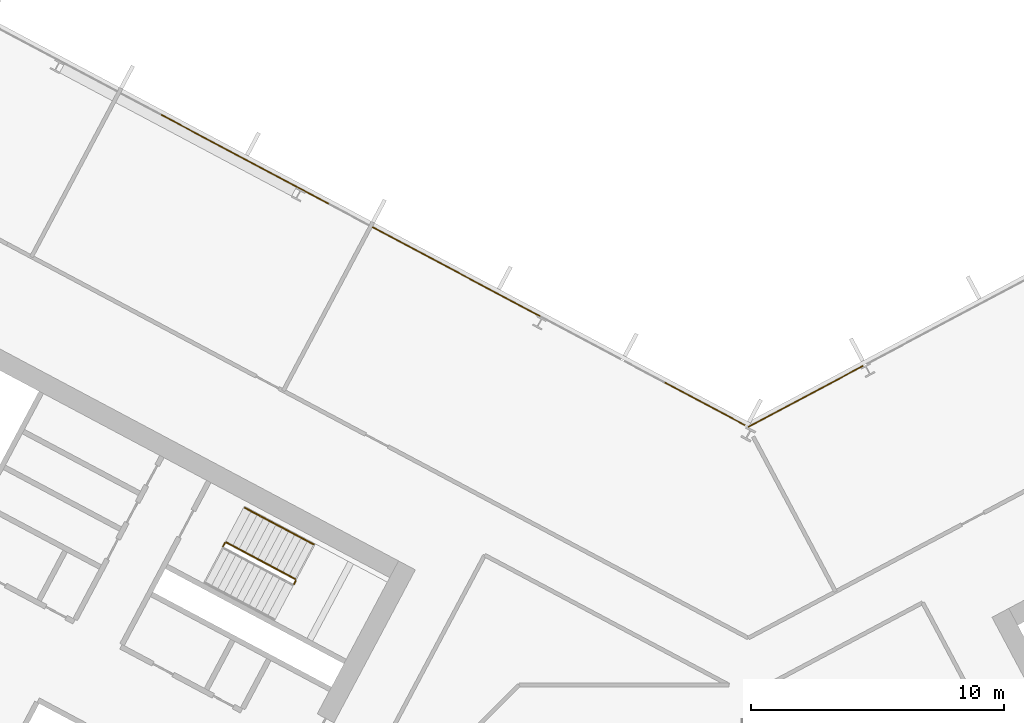
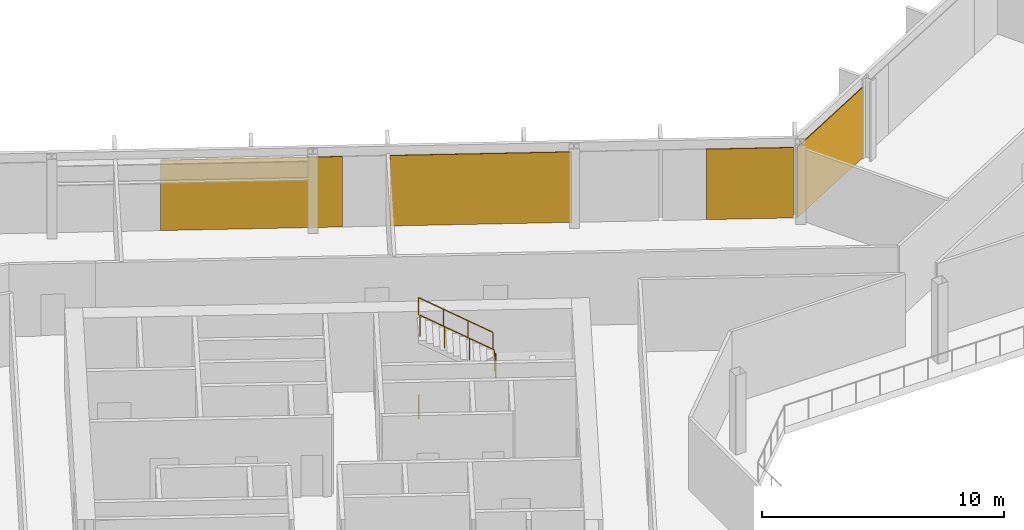
# One storey, part 23 of 28: 4 coverings, 4 railings, 2 elements without a shape of their own.
"""IFC4 building model written with IfcOpenShell, lengths in metres."""

import ifcopenshell
import ifcopenshell.guid

model = None  # the IFC model being written
_history = None  # IfcOwnerHistory: only IFC2X3 demands one
_inside = {}  # id of a spatial element -> (the spatial element, [elements in it])
_under = {}  # id of a project, library or spatial element -> (it, [spatial elements below it])
_declared = {}  # id of a project -> (the project, [libraries it declares])
_typed = {}  # id of a type object -> (the type object, [elements of that type])
_made_of = {}  # id of a material, layer set ... -> (it, [elements and type objects made of it])


def new_model(schema):
    """Start an empty IFC model of exactly this schema.

    Asked for "IFC4X3", IfcOpenShell would pick the latest addendum, in which some entities
    have other attributes; the version numbers below select the first issue.
    IFC2X3 requires an IfcOwnerHistory on every rooted entity: one is made here for all.
    """
    global model, _history
    if schema == "IFC4X3":
        model = ifcopenshell.file(schema_version=(4, 3, 0, 0))
    else:
        model = ifcopenshell.file(schema=schema)
    _inside.clear()
    _under.clear()
    _declared.clear()
    _typed.clear()
    _made_of.clear()
    _history = None
    if model.schema == "IFC2X3":
        org = make("IfcOrganization", Name="unknown")
        user = make(
            "IfcPersonAndOrganization",
            ThePerson=make("IfcPerson", FamilyName="unknown"),
            TheOrganization=org,
        )
        app = make(
            "IfcApplication",
            ApplicationDeveloper=org,
            Version="unknown",
            ApplicationFullName="unknown",
            ApplicationIdentifier="unknown",
        )
        _history = make(
            "IfcOwnerHistory",
            OwningUser=user,
            OwningApplication=app,
            ChangeAction="ADDED",
            CreationDate=0,
        )
    return model


def make(cls, **values):
    """One entity of the class cls with the attributes given. An attribute that is None is left unset."""
    return model.create_entity(
        cls, **{name: value for name, value in values.items() if value is not None}
    )


def rooted(cls, **values):
    """An entity with a GlobalId (a new one), such as an element, a storey or a relation."""
    return make(cls, GlobalId=ifcopenshell.guid.new(), OwnerHistory=_history, **values)


def si_unit(unit_type, name, prefix=None):
    """IfcSIUnit, for example si_unit("LENGTHUNIT", "METRE", prefix="MILLI")."""
    return make("IfcSIUnit", UnitType=unit_type, Prefix=prefix, Name=name)


def assignment(units):
    """IfcUnitAssignment: the units of a project."""
    return None if units is None else make("IfcUnitAssignment", Units=units)


def point(xyz):
    """IfcCartesianPoint."""
    return None if xyz is None else make("IfcCartesianPoint", Coordinates=xyz)


def direction(xyz):
    """IfcDirection."""
    return None if xyz is None else make("IfcDirection", DirectionRatios=xyz)


def frame(location, z_axis=None, x_axis=None):
    """IfcAxis2Placement3D, a coordinate frame: its origin and axes. An axis left out is left unset."""
    return make(
        "IfcAxis2Placement3D",
        Location=point(location),
        Axis=direction(z_axis),
        RefDirection=direction(x_axis),
    )


def frame_2d(location, x_axis=None):
    """IfcAxis2Placement2D, a coordinate frame in the plane: its origin and x axis."""
    return make(
        "IfcAxis2Placement2D", Location=point(location), RefDirection=direction(x_axis)
    )


def origin():
    """The frame at (0, 0, 0) with its axes left unset."""
    return frame((0.0, 0.0, 0.0))


def origin_2d():
    """The frame at (0, 0) in the plane with its x axis left unset."""
    return frame_2d((0.0, 0.0))


def place(relative_to, where):
    """IfcLocalPlacement: puts the frame where relative to a parent placement (None: the world)."""
    return make(
        "IfcLocalPlacement", PlacementRelTo=relative_to, RelativePlacement=where
    )


def context(
    kind, dimensions, precision=None, world=None, true_north=None, identifier=None
):
    """IfcGeometricRepresentationContext, for example the 3D "Model" context."""
    return make(
        "IfcGeometricRepresentationContext",
        ContextIdentifier=identifier,
        ContextType=kind,
        CoordinateSpaceDimension=dimensions,
        Precision=precision,
        WorldCoordinateSystem=world,
        TrueNorth=true_north,
    )


def subcontext(parent, identifier, kind, view, scale=None):
    """IfcGeometricRepresentationSubContext, for example "Body" below "Model"."""
    return make(
        "IfcGeometricRepresentationSubContext",
        ContextIdentifier=identifier,
        ContextType=kind,
        ParentContext=parent,
        TargetScale=scale,
        TargetView=view,
    )


def project(units=None, contexts=None):
    """IfcProject with its units and contexts."""
    return rooted(
        "IfcProject",
        Name="project",
        RepresentationContexts=contexts,
        UnitsInContext=assignment(units),
    )


def spatial(cls, under=None, at=None, **own):
    """A site, building, storey or space (cls), placed at a placement, below another one or the project."""
    s = rooted(cls, ObjectPlacement=at, **own)
    if under is not None:
        _under.setdefault(under.id(), (under, []))[1].append(s)
    return s


def polyline(points):
    """IfcPolyline through the points."""
    return make("IfcPolyline", Points=[point(p) for p in points])


def profile(cls, at=None, kind="AREA", **sizes):
    """A parametric profile (cls). Its sizes go by their IFC names, for example OverallWidth=200.0."""
    return make(cls, ProfileType=kind, Position=at, **sizes)


def rectangle(**sizes):
    """IfcRectangleProfileDef."""
    return profile("IfcRectangleProfileDef", **sizes)


def outline(outer, holes=None, kind="AREA"):
    """IfcArbitraryClosedProfileDef: a profile drawn as a closed curve; with holes, ...WithVoids."""
    if holes is None:
        return make("IfcArbitraryClosedProfileDef", ProfileType=kind, OuterCurve=outer)
    return make(
        "IfcArbitraryProfileDefWithVoids",
        ProfileType=kind,
        OuterCurve=outer,
        InnerCurves=holes,
    )


def extrude(swept, where, along, depth):
    """IfcExtrudedAreaSolid: the profile swept, set in the frame where, extruded along a direction by depth."""
    return make(
        "IfcExtrudedAreaSolid",
        SweptArea=swept,
        Position=where,
        ExtrudedDirection=direction(along),
        Depth=depth,
    )


def shape(context_of_items, identifier, shape_type, items):
    """IfcShapeRepresentation: the items that make up one representation, for example the "Body"."""
    return make(
        "IfcShapeRepresentation",
        ContextOfItems=context_of_items,
        RepresentationIdentifier=identifier,
        RepresentationType=shape_type,
        Items=items,
    )


def material(Name=None, Category=None):
    """IfcMaterial."""
    return make("IfcMaterial", Name=Name, Category=Category)


def layer(
    of_material, thickness, ventilated=None, Name=None, Category=None, Priority=None
):
    """IfcMaterialLayer: one layer of a wall or slab, of a material (None: an air gap)."""
    return make(
        "IfcMaterialLayer",
        Material=of_material,
        LayerThickness=thickness,
        IsVentilated=ventilated,
        Name=Name,
        Category=Category,
        Priority=Priority,
    )


def layer_set(layers, Name=None):
    """IfcMaterialLayerSet."""
    return make("IfcMaterialLayerSet", MaterialLayers=layers, LayerSetName=Name)


def made_of(thing, what):
    """Note that an element or type object is made of a material, layer set ...; save() writes the relation."""
    if what is not None:
        _made_of.setdefault(what.id(), (what, []))[1].append(thing)
    return thing


def type_object(cls, material=None, **own):
    """A type object (cls), such as IfcWallType, which elements share."""
    return made_of(rooted(cls, **own), material)


def element(
    cls,
    number,
    at=None,
    inside=None,
    cuts=None,
    type_object=None,
    material=None,
    context=None,
    identifier="Body",
    shape_type=None,
    held_by="IfcProductDefinitionShape",
    body=None,
    shapes=None,
    **own,
):
    """One element of the class cls, such as IfcWall. Its Tag is "e" and its number.

    at: its placement. inside: the storey or other place that contains it. cuts: it is an
    opening in that element (IfcRelVoidsElement). A single representation is given by context,
    identifier, shape_type and body (its items); several are given by shapes. held_by: the class
    of the entity that holds the representations. save() writes the other relations.
    """
    e = rooted(cls, Tag="e%d" % number, ObjectPlacement=at, **own)
    if body is not None:
        shapes = [shape(context, identifier, shape_type, body)]
    if shapes is not None:
        e.Representation = make(held_by, Representations=shapes)
    if inside is not None:
        _inside.setdefault(inside.id(), (inside, []))[1].append(e)
    if cuts is not None:
        rooted(
            "IfcRelVoidsElement", RelatingBuildingElement=cuts, RelatedOpeningElement=e
        )
    if type_object is not None:
        _typed.setdefault(type_object.id(), (type_object, []))[1].append(e)
    return made_of(e, material)


def aggregate(whole, parts):
    """IfcRelAggregates: a whole, such as a stair, and the parts it consists of."""
    return rooted("IfcRelAggregates", RelatingObject=whole, RelatedObjects=parts)


def save(model, path):
    """Write the relations noted so far, then the file.

    IfcRelAggregates (storeys below a building ...), IfcRelContainedInSpatialStructure (elements
    in a storey), IfcRelDefinesByType, IfcRelAssociatesMaterial and IfcRelDeclares: one each for
    every whole, place, type object, material and project.
    """
    for whole, parts in _under.values():
        aggregate(whole, parts)
    for where, things in _inside.values():
        rooted(
            "IfcRelContainedInSpatialStructure",
            RelatedElements=things,
            RelatingStructure=where,
        )
    for kind, things in _typed.values():
        rooted("IfcRelDefinesByType", RelatedObjects=things, RelatingType=kind)
    for what, things in _made_of.values():
        rooted("IfcRelAssociatesMaterial", RelatedObjects=things, RelatingMaterial=what)
    for by, libraries in _declared.values():
        rooted("IfcRelDeclares", RelatingContext=by, RelatedDefinitions=libraries)
    model.write(path)


model = new_model("IFC4")

# Units and contexts
model_context = context("Model", 3, precision=1e-05, world=origin(), true_north=direction((0.0, 1.0)))
body_context = subcontext(model_context, "Body", "Model", "MODEL_VIEW")
ifc_project = project(units=[si_unit("LENGTHUNIT", "METRE"), si_unit("AREAUNIT", "SQUARE_METRE"), si_unit("VOLUMEUNIT", "CUBIC_METRE"), si_unit("PLANEANGLEUNIT", "RADIAN"), si_unit("MASSUNIT", "GRAM", prefix="KILO")], contexts=[model_context])

# Site, building, storey
site_placement = place(None, origin())
site = spatial("IfcSite", under=ifc_project, at=site_placement, CompositionType="ELEMENT")
building_placement = place(site_placement, origin())
building = spatial("IfcBuilding", under=site, at=building_placement, Name="Cormorant Relay Tower", CompositionType="ELEMENT")
storey_placement = place(building_placement, frame((0.0, 0.0, 166.199951171875)))
storey = spatial("IfcBuildingStorey", under=building, at=storey_placement, Name="L35", CompositionType="ELEMENT", Elevation=166.199951171875)

# Curtain wall, covering
ifc_material_1 = material(Name="Aluminium 6063-T6 anodised bronze", Category="aluminium")
ifc_layer_1 = layer(ifc_material_1, 0.199951171875)
ifc_layer_set_1 = layer_set([ifc_layer_1], Name="CW1 unitised bronze curtain wall with vertical fins")
curtain_wall_type = type_object("IfcCurtainWallType", Name="CW1 unitised bronze curtain wall with vertical fins", PredefinedType="NOTDEFINED", material=ifc_layer_set_1)
curtain_wall_1_placement = place(storey_placement, origin())
curtain_wall_1 = element("IfcCurtainWall", 1, at=curtain_wall_1_placement, inside=storey, type_object=curtain_wall_type, Name="CW1 curtain wall 8", PredefinedType="NOTDEFINED")
ifc_material_2 = material(Name="Pale bronze anodised aluminium insulated panel", Category="aluminium")
ifc_layer_2 = layer(ifc_material_2, 0.0400390625)
ifc_layer_set_2 = layer_set([ifc_layer_2], Name="CW1 pale bronze insulated panel 40")
covering_type = type_object("IfcCoveringType", Name="CW1 pale bronze insulated panel 40", PredefinedType="CLADDING", material=ifc_layer_set_2)
covering_1_placement = place(storey_placement, frame((2.26611328125, 25.011474609375, 0.0), z_axis=(0.0, 0.0, 1.0), x_axis=(-0.882947592859, -0.469471562786, 0.0)))
covering_1 = element("IfcCovering", 2, at=covering_1_placement, type_object=covering_type, Name="CW1 panel S09", PredefinedType="CLADDING", context=body_context, shape_type="SweptSolid", body=[
    extrude(rectangle(XDim=5.154296875, YDim=0.0400390625, at=origin_2d()), origin(), (0.0, 0.0, 1.0), 3.550048828125),
])
aggregate(curtain_wall_1, [covering_1])

# Curtain wall, coverings
curtain_wall_2_placement = place(storey_placement, origin())
curtain_wall_2 = element("IfcCurtainWall", 3, at=curtain_wall_2_placement, inside=storey, type_object=curtain_wall_type, Name="CW1 curtain wall 9", PredefinedType="NOTDEFINED")
covering_2_placement = place(storey_placement, frame((-1.718505859375, 24.720458984375, 0.0), z_axis=(0.0, 0.0, 1.0), x_axis=(-0.882947592859, 0.469471562786, 0.0)))
covering_2 = element("IfcCovering", 4, at=covering_2_placement, type_object=covering_type, Name="CW1 panel S00", PredefinedType="CLADDING", context=body_context, shape_type="SweptSolid", body=[
    extrude(rectangle(XDim=3.614013671875, YDim=0.0400390625, at=origin_2d()), origin(), (0.0, 0.0, 1.0), 3.550048828125),
])
covering_3_placement = place(storey_placement, frame((-11.537841796875, 29.94140625, 0.0), z_axis=(0.0, 0.0, 1.0), x_axis=(-0.882947592859, 0.469471562786, 0.0)))
covering_3 = element("IfcCovering", 5, at=covering_3_placement, type_object=covering_type, Name="CW1 panel S03", PredefinedType="CLADDING", context=body_context, shape_type="SweptSolid", body=[
    extrude(rectangle(XDim=7.528076171875, YDim=0.0400390625, at=origin_2d()), origin(), (0.0, 0.0, 1.0), 3.550048828125),
])
covering_4_placement = place(storey_placement, frame((-19.906494140625, 34.39111328125, 0.0), z_axis=(0.0, 0.0, 1.0), x_axis=(-0.882947592859, 0.469471562786, 0.0)))
covering_4 = element("IfcCovering", 6, at=covering_4_placement, type_object=covering_type, Name="CW1 panel S05", PredefinedType="CLADDING", context=body_context, shape_type="SweptSolid", body=[
    extrude(rectangle(XDim=7.528076171875, YDim=0.0400390625, at=origin_2d()), origin(), (0.0, 0.0, 1.0), 3.550048828125),
])
aggregate(curtain_wall_2, [covering_2, covering_3, covering_4])

# Railings
ifc_material_3 = material(Name="Steel ASTM A572 Grade 50 (Fy 345 MPa)", Category="steel")
railing_type_1 = type_object("IfcRailingType", Name="Stair guard 1100", PredefinedType="GUARDRAIL", material=ifc_material_3)
railing_1_placement = place(storey_placement, frame((-17.96337890625, 17.592529296875, 2.0)))
element("IfcRailing", 7, at=railing_1_placement, inside=storey, type_object=railing_type_1, Name="L35 A1 stair guard 2", PredefinedType="GUARDRAIL", context=body_context, shape_type="SweptSolid", body=[
    extrude(outline(polyline([(0.022216796875, 0.00927734375), (0.00927734375, 0.022216796875), (-0.00927734375, 0.022216796875), (-0.022216796875, 0.00927734375), (-0.022216796875, -0.00927734375), (-0.00927734375, -0.022216796875), (0.00927734375, -0.022216796875), (0.022216796875, -0.00927734375), (0.022216796875, 0.00927734375)])), frame((0.0, 0.0, 1.076171875), z_axis=(0.46856034887, 0.8834314911, 0.0), x_axis=(-0.8834314911, 0.46856034887, 0.0)), (0.0, 0.0, 1.0), 0.150146484375),
    extrude(outline(polyline([(0.019287109375, 0.008056640625), (0.008056640625, 0.019287109375), (-0.008056640625, 0.019287109375), (-0.019287109375, 0.008056640625), (-0.019287109375, -0.008056640625), (-0.008056640625, -0.019287109375), (0.008056640625, -0.019287109375), (0.019287109375, -0.008056640625), (0.019287109375, 0.008056640625)])), origin(), (0.0, 0.0, 1.0), 1.052001953125),
    extrude(outline(polyline([(0.019287109375, 0.008056640625), (0.008056640625, 0.019287109375), (-0.008056640625, 0.019287109375), (-0.019287109375, 0.008056640625), (-0.019287109375, -0.008056640625), (-0.008056640625, -0.019287109375), (0.008056640625, -0.019287109375), (0.019287109375, -0.008056640625), (0.019287109375, 0.008056640625)])), frame((0.0703125, 0.132568359375, 0.0)), (0.0, 0.0, 1.0), 1.052001953125),
])
railing_2_placement = place(storey_placement, frame((-17.913818359375, 17.792724609375, 2.166748046875)))
element("IfcRailing", 8, at=railing_2_placement, inside=storey, type_object=railing_type_1, Name="L35 A1 stair guard 3", PredefinedType="GUARDRAIL", context=body_context, shape_type="SweptSolid", body=[
    extrude(outline(polyline([(0.022216796875, 0.00927734375), (0.00927734375, 0.022216796875), (-0.00927734375, 0.022216796875), (-0.022216796875, 0.00927734375), (-0.022216796875, -0.00927734375), (-0.00927734375, -0.022216796875), (0.00927734375, -0.022216796875), (0.022216796875, -0.00927734375), (0.022216796875, 0.00927734375)])), frame((0.0, 0.0, 1.076171875), z_axis=(-0.758734504837, 0.403377838015, 0.511476559549), x_axis=(-0.469427602063, -0.882970965786, 0.0)), (0.0, 0.0, 1.0), 3.584228515625),
    extrude(outline(polyline([(0.019287109375, 0.008056640625), (0.008056640625, 0.019287109375), (-0.008056640625, 0.019287109375), (-0.019287109375, 0.008056640625), (-0.019287109375, -0.008056640625), (-0.008056640625, -0.019287109375), (0.008056640625, -0.019287109375), (0.019287109375, -0.008056640625), (0.019287109375, 0.008056640625)])), origin(), (0.0, 0.0, 1.0), 1.052001953125),
    extrude(outline(polyline([(0.019287109375, 0.008056640625), (0.008056640625, 0.019287109375), (-0.008056640625, 0.019287109375), (-0.019287109375, 0.008056640625), (-0.019287109375, -0.008056640625), (-0.008056640625, -0.019287109375), (0.008056640625, -0.019287109375), (0.019287109375, -0.008056640625), (0.019287109375, 0.008056640625)])), frame((-0.906494140625, 0.48193359375, 0.611083984375)), (0.0, 0.0, 1.0), 1.052001953125),
    extrude(outline(polyline([(0.019287109375, 0.008056640625), (0.008056640625, 0.019287109375), (-0.008056640625, 0.019287109375), (-0.019287109375, 0.008056640625), (-0.019287109375, -0.008056640625), (-0.008056640625, -0.019287109375), (0.008056640625, -0.019287109375), (0.019287109375, -0.008056640625), (0.019287109375, 0.008056640625)])), frame((-1.81298828125, 0.9638671875, 1.22216796875)), (0.0, 0.0, 1.0), 1.052001953125),
    extrude(outline(polyline([(0.019287109375, 0.008056640625), (0.008056640625, 0.019287109375), (-0.008056640625, 0.019287109375), (-0.019287109375, 0.008056640625), (-0.019287109375, -0.008056640625), (-0.008056640625, -0.019287109375), (0.008056640625, -0.019287109375), (0.019287109375, -0.008056640625), (0.019287109375, 0.008056640625)])), frame((-2.719482421875, 1.44580078125, 1.833251953125)), (0.0, 0.0, 1.0), 1.052001953125),
])
railing_3_placement = place(storey_placement, frame((-20.771240234375, 19.08544921875, 0.0)))
element("IfcRailing", 9, at=railing_3_placement, inside=storey, type_object=railing_type_1, Name="L35 A1 stair guard 4", PredefinedType="GUARDRAIL", context=body_context, shape_type="SweptSolid", body=[
    extrude(outline(polyline([(0.022216796875, 0.00927734375), (0.00927734375, 0.022216796875), (-0.00927734375, 0.022216796875), (-0.022216796875, 0.00927734375), (-0.022216796875, -0.00927734375), (-0.00927734375, -0.022216796875), (0.00927734375, -0.022216796875), (0.022216796875, -0.00927734375), (0.022216796875, 0.00927734375)])), frame((0.0, 0.0, 1.076171875), z_axis=(0.469828648786, 0.882757634224, 0.0), x_axis=(-0.882757634224, 0.469828648786, 0.0)), (0.0, 0.0, 1.0), 0.150146484375),
    extrude(outline(polyline([(0.019287109375, 0.008056640625), (0.008056640625, 0.019287109375), (-0.008056640625, 0.019287109375), (-0.019287109375, 0.008056640625), (-0.019287109375, -0.008056640625), (-0.008056640625, -0.019287109375), (0.008056640625, -0.019287109375), (0.019287109375, -0.008056640625), (0.019287109375, 0.008056640625)])), origin(), (0.0, 0.0, 1.0), 1.052001953125),
    extrude(outline(polyline([(0.019287109375, 0.008056640625), (0.008056640625, 0.019287109375), (-0.008056640625, 0.019287109375), (-0.019287109375, 0.008056640625), (-0.019287109375, -0.008056640625), (-0.008056640625, -0.019287109375), (0.008056640625, -0.019287109375), (0.019287109375, -0.008056640625), (0.019287109375, 0.008056640625)])), frame((0.070556640625, 0.132568359375, 0.0)), (0.0, 0.0, 1.0), 1.052001953125),
])
ifc_material_4 = material(Name="Steel ASTM A572 Grade 50 (Fy 345 MPa)", Category="steel")
railing_type_2 = type_object("IfcRailingType", Name="Stair handrail 900", PredefinedType="HANDRAIL", material=ifc_material_4)
railing_4_placement = place(storey_placement, frame((-17.18603515625, 19.1611328125, 2.166748046875)))
element("IfcRailing", 10, at=railing_4_placement, inside=storey, type_object=railing_type_2, Name="L35 A1 stair handrail 2", PredefinedType="HANDRAIL", context=body_context, shape_type="SweptSolid", body=[
    extrude(outline(polyline([(0.022216796875, 0.00927734375), (0.00927734375, 0.022216796875), (-0.00927734375, 0.022216796875), (-0.022216796875, 0.00927734375), (-0.022216796875, -0.00927734375), (-0.00927734375, -0.022216796875), (0.00927734375, -0.022216796875), (0.022216796875, -0.00927734375), (0.022216796875, 0.00927734375)])), frame((0.0, 0.0, 0.8759765625), z_axis=(-0.758713656843, 0.403434867536, 0.511462505542), x_axis=(-0.469489399267, -0.882938108802, 0.0)), (0.0, 0.0, 1.0), 3.584228515625),
    extrude(outline(polyline([(0.019287109375, 0.008056640625), (0.008056640625, 0.019287109375), (-0.008056640625, 0.019287109375), (-0.019287109375, 0.008056640625), (-0.019287109375, -0.008056640625), (-0.008056640625, -0.019287109375), (0.008056640625, -0.019287109375), (0.019287109375, -0.008056640625), (0.019287109375, 0.008056640625)])), origin(), (0.0, 0.0, 1.0), 0.851806640625),
    extrude(outline(polyline([(0.019287109375, 0.008056640625), (0.008056640625, 0.019287109375), (-0.008056640625, 0.019287109375), (-0.019287109375, 0.008056640625), (-0.019287109375, -0.008056640625), (-0.008056640625, -0.019287109375), (0.008056640625, -0.019287109375), (0.019287109375, -0.008056640625), (0.019287109375, 0.008056640625)])), frame((-0.906494140625, 0.48193359375, 0.611083984375)), (0.0, 0.0, 1.0), 0.851806640625),
    extrude(outline(polyline([(0.019287109375, 0.008056640625), (0.008056640625, 0.019287109375), (-0.008056640625, 0.019287109375), (-0.019287109375, 0.008056640625), (-0.019287109375, -0.008056640625), (-0.008056640625, -0.019287109375), (0.008056640625, -0.019287109375), (0.019287109375, -0.008056640625), (0.019287109375, 0.008056640625)])), frame((-1.81298828125, 0.964111328125, 1.22216796875)), (0.0, 0.0, 1.0), 0.851806640625),
    extrude(outline(polyline([(0.019287109375, 0.008056640625), (0.008056640625, 0.019287109375), (-0.008056640625, 0.019287109375), (-0.019287109375, 0.008056640625), (-0.019287109375, -0.008056640625), (-0.008056640625, -0.019287109375), (0.008056640625, -0.019287109375), (0.019287109375, -0.008056640625), (0.019287109375, 0.008056640625)])), frame((-2.719482421875, 1.446044921875, 1.833251953125)), (0.0, 0.0, 1.0), 0.851806640625),
])

save(model, "model.ifc")
